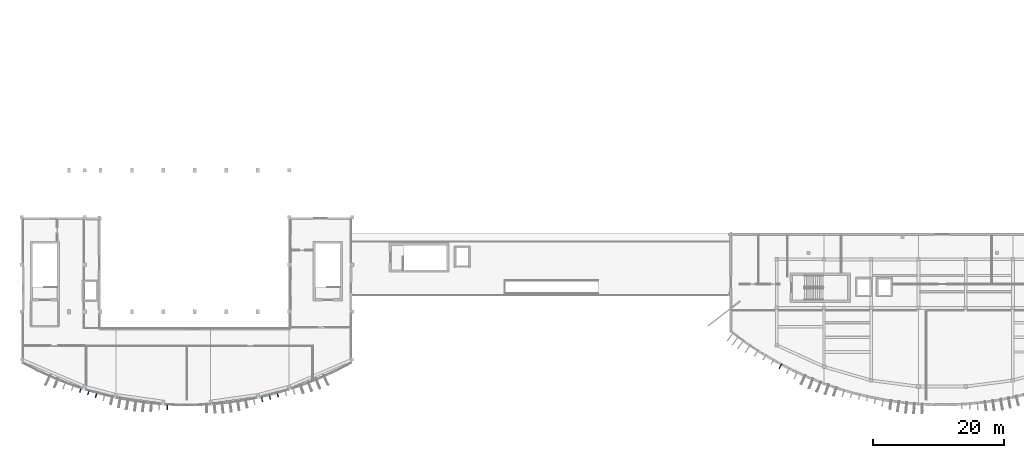
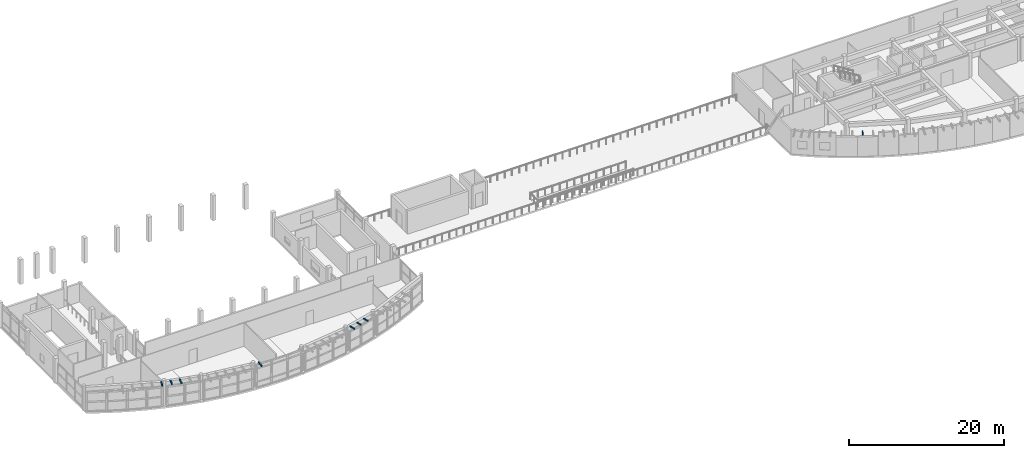
# One storey, part 27 of 32: 8 discrete accessories.
"""IFC4 building model written with IfcOpenShell, lengths in metres."""

from ifc_helpers import new_model, si_unit, direction, frame, origin, origin_2d, place, context, subcontext, project, spatial, rectangle, extrude, material, type_object, element, save


model = new_model("IFC4")

# Units and contexts
model_context = context("Model", 3, precision=1e-05, world=origin(), true_north=direction((0.0, 1.0)))
body_context = subcontext(model_context, "Body", "Model", "MODEL_VIEW")
ifc_project = project(units=[si_unit("LENGTHUNIT", "METRE"), si_unit("AREAUNIT", "SQUARE_METRE"), si_unit("VOLUMEUNIT", "CUBIC_METRE"), si_unit("PLANEANGLEUNIT", "RADIAN"), si_unit("MASSUNIT", "GRAM", prefix="KILO")], contexts=[model_context])

# Site, building, storey
site_placement = place(None, origin())
site = spatial("IfcSite", under=ifc_project, at=site_placement, CompositionType="ELEMENT")
building_placement = place(site_placement, origin())
building = spatial("IfcBuilding", under=site, at=building_placement, Name="Brisavento Harbour Community Centre", CompositionType="ELEMENT")
storey_placement = place(building_placement, frame((0.0, 0.0, 12.89990234375)))
storey = spatial("IfcBuildingStorey", under=building, at=storey_placement, Name="L03", CompositionType="ELEMENT", Elevation=12.89990234375)

# Discrete accessories
ifc_material = material(Name="Stainless steel 1.4401", Category="steel")
discrete_accessory_type = type_object("IfcDiscreteAccessoryType", Name="BRK-FIN-SS", PredefinedType="BRACKET", material=ifc_material)
discrete_accessory_1_placement = place(storey_placement, frame((8.96484375, 2.4970703125, 3.68017578125), z_axis=(0.0, 0.0, 1.0), x_axis=(-0.323174264667, -0.94633947115, 0.0)))
element("IfcDiscreteAccessory", 1, at=discrete_accessory_1_placement, inside=storey, type_object=discrete_accessory_type, Name="Stainless-steel storm-fin bracket 008.5", PredefinedType="BRACKET", context=body_context, shape_type="SweptSolid", body=[
    extrude(rectangle(XDim=0.817626953125, YDim=0.139892578125, at=origin_2d()), origin(), (0.0, 0.0, 1.0), 0.199951171875),
])
discrete_accessory_2_placement = place(storey_placement, frame((10.174560546875, 2.134033203125, 3.68017578125), z_axis=(0.0, 0.0, 1.0), x_axis=(-0.276996031628, -0.96087106235, 0.0)))
element("IfcDiscreteAccessory", 2, at=discrete_accessory_2_placement, inside=storey, type_object=discrete_accessory_type, Name="Stainless-steel storm-fin bracket 009.5", PredefinedType="BRACKET", context=body_context, shape_type="SweptSolid", body=[
    extrude(rectangle(XDim=0.783203125, YDim=0.139892578125, at=origin_2d()), origin(), (0.0, 0.0, 1.0), 0.199951171875),
])
discrete_accessory_3_placement = place(storey_placement, frame((11.3623046875, 1.74560546875, 3.68017578125), z_axis=(0.0, 0.0, 1.0), x_axis=(-0.276996031628, -0.96087106235, 0.0)))
element("IfcDiscreteAccessory", 3, at=discrete_accessory_3_placement, inside=storey, type_object=discrete_accessory_type, Name="Stainless-steel storm-fin bracket 010.5", PredefinedType="BRACKET", context=body_context, shape_type="SweptSolid", body=[
    extrude(rectangle(XDim=0.8720703125, YDim=0.139892578125, at=origin_2d()), origin(), (0.0, 0.0, 1.0), 0.199951171875),
])
discrete_accessory_4_placement = place(storey_placement, frame((22.192626953125, -0.0615234375, 3.68017578125), z_axis=(0.0, 0.0, 1.0), x_axis=(-0.0461649984, -0.9989338281, 0.0)))
element("IfcDiscreteAccessory", 4, at=discrete_accessory_4_placement, inside=storey, type_object=discrete_accessory_type, Name="Stainless-steel storm-fin bracket 019.5", PredefinedType="BRACKET", context=body_context, shape_type="SweptSolid", body=[
    extrude(rectangle(XDim=0.917236328125, YDim=0.139892578125, at=origin_2d()), origin(), (0.0, 0.0, 1.0), 0.199951171875),
])
discrete_accessory_5_placement = place(storey_placement, frame((36.63525390625, 1.128173828125, 3.68017578125), z_axis=(0.0, 0.0, 1.0), x_axis=(0.230830981037, -0.972993863389, 0.0)))
element("IfcDiscreteAccessory", 5, at=discrete_accessory_5_placement, inside=storey, type_object=discrete_accessory_type, Name="Stainless-steel storm-fin bracket 027.5", PredefinedType="BRACKET", context=body_context, shape_type="SweptSolid", body=[
    extrude(rectangle(XDim=0.904541015625, YDim=0.139892578125, at=origin_2d()), origin(), (0.0, 0.0, 1.0), 0.199951171875),
])
discrete_accessory_6_placement = place(storey_placement, frame((37.822265625, 1.467041015625, 3.68017578125), z_axis=(0.0, 0.0, 1.0), x_axis=(0.230830981037, -0.972993863389, 0.0)))
element("IfcDiscreteAccessory", 6, at=discrete_accessory_6_placement, inside=storey, type_object=discrete_accessory_type, Name="Stainless-steel storm-fin bracket 028.5", PredefinedType="BRACKET", context=body_context, shape_type="SweptSolid", body=[
    extrude(rectangle(XDim=0.79296875, YDim=0.139892578125, at=origin_2d()), origin(), (0.0, 0.0, 1.0), 0.199951171875),
])
discrete_accessory_7_placement = place(storey_placement, frame((39.02734375, 1.781005859375, 3.68017578125), z_axis=(0.0, 0.0, 1.0), x_axis=(0.276996031628, -0.96087106235, 0.0)))
element("IfcDiscreteAccessory", 7, at=discrete_accessory_7_placement, inside=storey, type_object=discrete_accessory_type, Name="Stainless-steel storm-fin bracket 029.5", PredefinedType="BRACKET", context=body_context, shape_type="SweptSolid", body=[
    extrude(rectangle(XDim=0.79833984375, YDim=0.139892578125, at=origin_2d()), origin(), (0.0, 0.0, 1.0), 0.199951171875),
])
discrete_accessory_8_placement = place(storey_placement, frame((115.7509765625, 6.107666015625, 3.68017578125), z_axis=(0.0, 0.0, 1.0), x_axis=(-0.461702168823, -0.887035009063, 0.0)))
element("IfcDiscreteAccessory", 8, at=discrete_accessory_8_placement, inside=storey, type_object=discrete_accessory_type, Name="Stainless-steel storm-fin bracket 100.5", PredefinedType="BRACKET", context=body_context, shape_type="SweptSolid", body=[
    extrude(rectangle(XDim=0.812255859375, YDim=0.139892578125, at=origin_2d()), origin(), (0.0, 0.0, 1.0), 0.199951171875),
])

save(model, "model.ifc")
